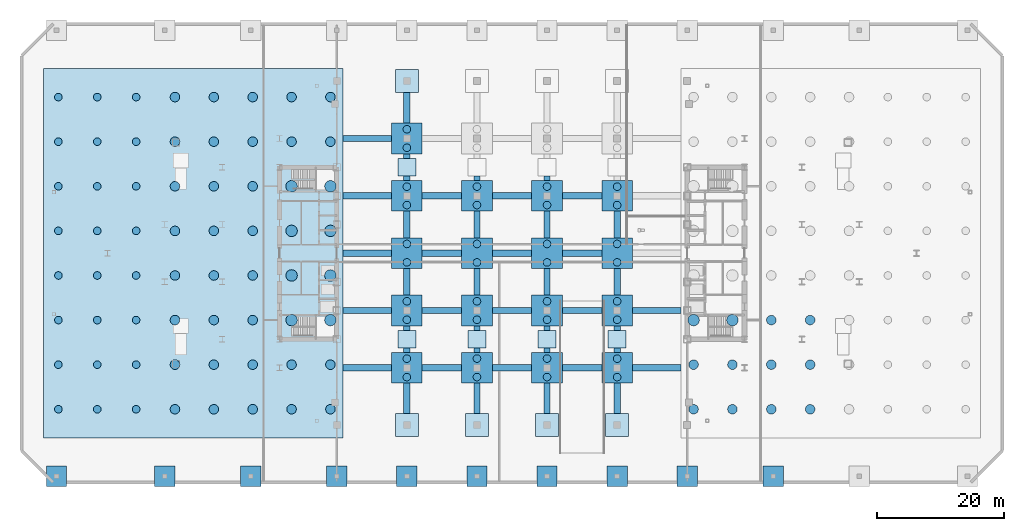
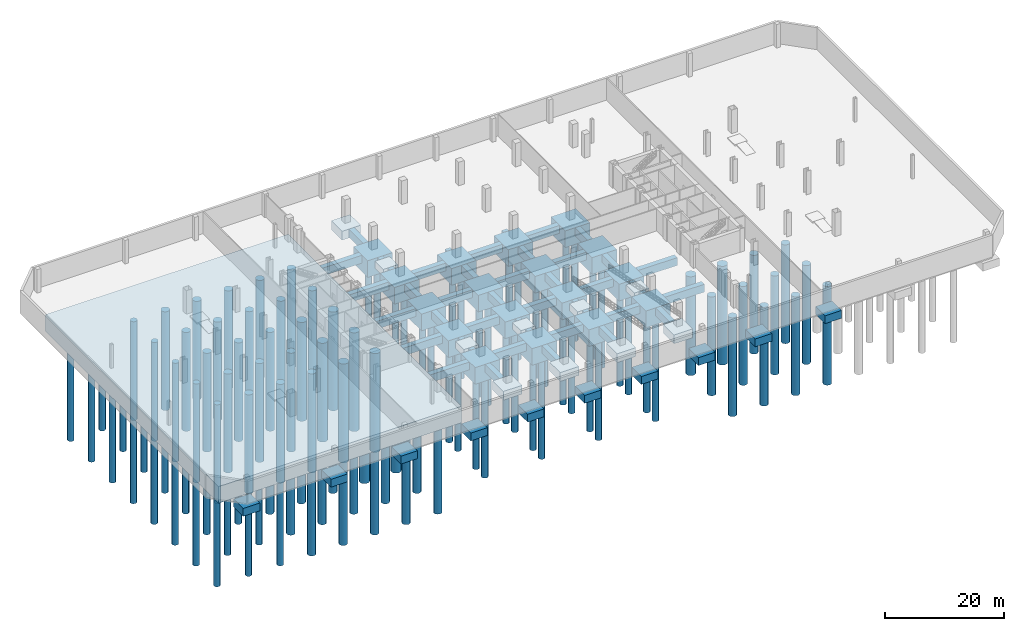
# One storey, part 1 of 18: 110 piles, 82 footings.
"""IFC4 building model written with IfcOpenShell, lengths in metres."""

from ifc_helpers import new_model, si_unit, direction, frame, origin, origin_2d, place, context, subcontext, project, spatial, rectangle, circle, extrude, source, transform, mapped, material, layer, layer_set, material_profile, profile_set, type_object, type_shapes, element, save


model = new_model("IFC4")

# Units and contexts
model_context = context("Model", 3, precision=1e-05, world=origin(), true_north=direction((0.0, 1.0)))
body_context = subcontext(model_context, "Body", "Model", "MODEL_VIEW")
ifc_project = project(units=[si_unit("LENGTHUNIT", "METRE"), si_unit("AREAUNIT", "SQUARE_METRE"), si_unit("VOLUMEUNIT", "CUBIC_METRE"), si_unit("PLANEANGLEUNIT", "RADIAN"), si_unit("MASSUNIT", "GRAM", prefix="KILO")], contexts=[model_context])

# Site, building, storey
site_placement = place(None, origin())
site = spatial("IfcSite", under=ifc_project, at=site_placement, CompositionType="ELEMENT")
building_placement = place(site_placement, origin())
building = spatial("IfcBuilding", under=site, at=building_placement, Name="Seokmaru Belvedere", CompositionType="ELEMENT")
storey_placement = place(building_placement, frame((0.0, 0.0, -9.60009765625)))
storey = spatial("IfcBuildingStorey", under=building, at=storey_placement, Name="B2", CompositionType="ELEMENT", Elevation=-9.60009765625)

# Footing
ifc_material_1 = material(Name="Concrete C50 (50 MPa)", Category="concrete")
ifc_layer_1 = layer(ifc_material_1, 3.39990234375)
ifc_layer_set_1 = layer_set([ifc_layer_1], Name="Concrete C50 (50 MPa)")
footing_type_1 = type_object("IfcFootingType", Name="Piled-Raft Mat Foundation 3400", PredefinedType="PILE_CAP", material=ifc_layer_set_1)
shared_shape_1 = source(origin(), body_context, "Body", "SweptSolid", [
    extrude(rectangle(XDim=47.0, YDim=58.0, at=origin_2d()), origin(), (0.0, 0.0, 1.0), 3.39990234375),
])
type_shapes(footing_type_1, [shared_shape_1])
footing_placement = place(storey_placement, frame((-50.0, 0.0, -3.7998046875), z_axis=(0.0, 0.0, 1.0), x_axis=(1.0, 0.0, 0.0)))
element("IfcFooting", 1, at=footing_placement, inside=storey, type_object=footing_type_1, Name="West Tower Piled-Raft Mat Foundation", PredefinedType="PILE_CAP", context=body_context, shape_type="MappedRepresentation", body=[
    mapped(shared_shape_1, transform((0.0, 0.0, 0.0), scale=1.0)),
])

# Piles
ifc_material_profile_1 = material_profile(ifc_material_1, circle(Radius=0.75, at=origin_2d()), Name="PILE-D1500")
ifc_profile_set_1 = profile_set([ifc_material_profile_1], Name="Concrete C50 (50 MPa)")
pile_type_1 = type_object("IfcPileType", Name="Rock-Socketed Bored Pile D1500", PredefinedType="BORED", material=ifc_profile_set_1)
shared_shape_2 = source(origin(), body_context, "Body", "SweptSolid", [
    extrude(circle(Radius=0.75, at=origin_2d()), origin(), (0.0, 0.0, 1.0), 20.199951171875),
])
type_shapes(pile_type_1, [shared_shape_2])
for number, where, z_axis, x_axis, name in (
    (2, (-28.5, -24.5, -3.7998046875), (0.0, 0.0, -1.0), (1.0, 0.0, 0.0), "West Mat Bored Pile 001"),
    (3, (-28.5, -17.5, -3.7998046875), (0.0, 0.0, -1.0), (1.0, 0.0, 0.0), "West Mat Bored Pile 002"),
    (4, (-28.5, 17.5, -3.7998046875), (0.0, 0.0, -1.0), (1.0, 0.0, 0.0), "West Mat Bored Pile 007"),
    (5, (-28.5, 24.5, -3.7998046875), (0.0, 0.0, -1.0), (1.0, 0.0, 0.0), "West Mat Bored Pile 008"),
    (6, (-34.60009765625, -24.5, -3.7998046875), (0.0, 0.0, -1.0), (1.0, 0.0, 0.0), "West Mat Bored Pile 009"),
    (7, (-34.60009765625, -17.5, -3.7998046875), (0.0, 0.0, -1.0), (1.0, 0.0, 0.0), "West Mat Bored Pile 010"),
    (8, (-34.60009765625, 17.5, -3.7998046875), (0.0, 0.0, -1.0), (1.0, 0.0, 0.0), "West Mat Bored Pile 015"),
    (9, (-34.60009765625, 24.5, -3.7998046875), (0.0, 0.0, -1.0), (1.0, 0.0, 0.0), "West Mat Bored Pile 016"),
    (10, (-40.699951171875, -24.5, -3.7998046875), (0.0, 0.0, -1.0), (1.0, 0.0, 0.0), "West Mat Bored Pile 017"),
    (11, (-40.699951171875, -17.5, -3.7998046875), (0.0, 0.0, -1.0), (1.0, 0.0, 0.0), "West Mat Bored Pile 018"),
    (12, (-40.699951171875, -10.5, -3.7998046875), (0.0, 0.0, -1.0), (1.0, 0.0, 0.0), "West Mat Bored Pile 019"),
    (13, (-40.699951171875, -3.5, -3.7998046875), (0.0, 0.0, -1.0), (1.0, 0.0, 0.0), "West Mat Bored Pile 020"),
    (14, (-40.699951171875, 3.5, -3.7998046875), (0.0, 0.0, -1.0), (1.0, 0.0, 0.0), "West Mat Bored Pile 021"),
    (15, (-40.699951171875, 10.5, -3.7998046875), (0.0, 0.0, -1.0), (1.0, 0.0, 0.0), "West Mat Bored Pile 022"),
    (16, (-40.699951171875, 17.5, -3.7998046875), (0.0, 0.0, -1.0), (1.0, 0.0, 0.0), "West Mat Bored Pile 023"),
    (17, (-40.699951171875, 24.5, -3.7998046875), (0.0, 0.0, -1.0), (1.0, 0.0, 0.0), "West Mat Bored Pile 024"),
    (18, (-46.800048828125, -24.5, -3.7998046875), (0.0, 0.0, -1.0), (1.0, 0.0, 0.0), "West Mat Bored Pile 025"),
    (19, (-46.800048828125, -17.5, -3.7998046875), (0.0, 0.0, -1.0), (1.0, 0.0, 0.0), "West Mat Bored Pile 026"),
    (20, (-46.800048828125, -10.5, -3.7998046875), (0.0, 0.0, -1.0), (1.0, 0.0, 0.0), "West Mat Bored Pile 027"),
    (21, (-46.800048828125, -3.5, -3.7998046875), (0.0, 0.0, -1.0), (1.0, 0.0, 0.0), "West Mat Bored Pile 028"),
    (22, (-46.800048828125, 3.5, -3.7998046875), (0.0, 0.0, -1.0), (1.0, 0.0, 0.0), "West Mat Bored Pile 029"),
    (23, (-46.800048828125, 10.5, -3.7998046875), (0.0, 0.0, -1.0), (1.0, 0.0, 0.0), "West Mat Bored Pile 030"),
    (24, (-46.800048828125, 17.5, -3.7998046875), (0.0, 0.0, -1.0), (1.0, 0.0, 0.0), "West Mat Bored Pile 031"),
    (25, (-46.800048828125, 24.5, -3.7998046875), (0.0, 0.0, -1.0), (1.0, 0.0, 0.0), "West Mat Bored Pile 032"),
    (26, (-52.89990234375, -24.5, -3.7998046875), (0.0, 0.0, -1.0), (1.0, 0.0, 0.0), "West Mat Bored Pile 033"),
    (27, (-52.89990234375, -17.5, -3.7998046875), (0.0, 0.0, -1.0), (1.0, 0.0, 0.0), "West Mat Bored Pile 034"),
    (28, (-52.89990234375, -10.5, -3.7998046875), (0.0, 0.0, -1.0), (1.0, 0.0, 0.0), "West Mat Bored Pile 035"),
    (29, (-52.89990234375, -3.5, -3.7998046875), (0.0, 0.0, -1.0), (1.0, 0.0, 0.0), "West Mat Bored Pile 036"),
    (30, (-52.89990234375, 3.5, -3.7998046875), (0.0, 0.0, -1.0), (1.0, 0.0, 0.0), "West Mat Bored Pile 037"),
    (31, (-52.89990234375, 10.5, -3.7998046875), (0.0, 0.0, -1.0), (1.0, 0.0, 0.0), "West Mat Bored Pile 038"),
    (32, (-52.89990234375, 17.5, -3.7998046875), (0.0, 0.0, -1.0), (1.0, 0.0, 0.0), "West Mat Bored Pile 039"),
    (33, (-52.89990234375, 24.5, -3.7998046875), (0.0, 0.0, -1.0), (1.0, 0.0, 0.0), "West Mat Bored Pile 040"),
    (34, (28.5, -24.5, -3.7998046875), (0.0, 0.0, -1.0), (1.0, 0.0, 0.0), "East Mat Bored Pile 001"),
    (35, (28.5, -17.5, -3.7998046875), (0.0, 0.0, -1.0), (1.0, 0.0, 0.0), "East Mat Bored Pile 002"),
    (36, (34.60009765625, -24.5, -3.7998046875), (0.0, 0.0, -1.0), (1.0, 0.0, 0.0), "East Mat Bored Pile 009"),
    (37, (34.60009765625, -17.5, -3.7998046875), (0.0, 0.0, -1.0), (1.0, 0.0, 0.0), "East Mat Bored Pile 010"),
    (38, (40.699951171875, -24.5, -3.7998046875), (0.0, 0.0, -1.0), (1.0, 0.0, 0.0), "East Mat Bored Pile 017"),
    (39, (40.699951171875, -17.5, -3.7998046875), (0.0, 0.0, -1.0), (1.0, 0.0, 0.0), "East Mat Bored Pile 018"),
    (40, (40.699951171875, -10.5, -3.7998046875), (0.0, 0.0, -1.0), (1.0, 0.0, 0.0), "East Mat Bored Pile 019"),
    (41, (46.800048828125, -24.5, -3.7998046875), (0.0, 0.0, -1.0), (1.0, 0.0, 0.0), "East Mat Bored Pile 025"),
    (42, (46.800048828125, -17.5, -3.7998046875), (0.0, 0.0, -1.0), (1.0, 0.0, 0.0), "East Mat Bored Pile 026"),
    (43, (46.800048828125, -10.5, -3.7998046875), (0.0, 0.0, -1.0), (1.0, 0.0, 0.0), "East Mat Bored Pile 027"),
):
    element("IfcPile", number, at=place(storey_placement, frame(where, z_axis=z_axis, x_axis=x_axis)), inside=storey, type_object=pile_type_1, Name=name, PredefinedType="BORED", context=body_context, shape_type="MappedRepresentation", body=[
        mapped(shared_shape_2, transform((0.0, 0.0, 0.0), scale=1.0)),
    ])
ifc_material_profile_2 = material_profile(ifc_material_1, circle(Radius=0.89990234375, at=origin_2d()), Name="PILE-D1800")
ifc_profile_set_2 = profile_set([ifc_material_profile_2], Name="Concrete C50 (50 MPa)")
pile_type_2 = type_object("IfcPileType", Name="Rock-Socketed Bored Pile D1800", PredefinedType="BORED", material=ifc_profile_set_2)
shared_shape_3 = source(origin(), body_context, "Body", "SweptSolid", [
    extrude(circle(Radius=0.89990234375, at=origin_2d()), origin(), (0.0, 0.0, 1.0), 20.199951171875),
])
type_shapes(pile_type_2, [shared_shape_3])
for number, where, z_axis, x_axis, name in (
    (44, (-28.5, -10.5, -3.7998046875), (0.0, 0.0, -1.0), (1.0, 0.0, 0.0), "West Mat Bored Pile 003"),
    (45, (-28.5, -3.5, -3.7998046875), (0.0, 0.0, -1.0), (1.0, 0.0, 0.0), "West Mat Bored Pile 004"),
    (46, (-28.5, 3.5, -3.7998046875), (0.0, 0.0, -1.0), (1.0, 0.0, 0.0), "West Mat Bored Pile 005"),
    (47, (-28.5, 10.5, -3.7998046875), (0.0, 0.0, -1.0), (1.0, 0.0, 0.0), "West Mat Bored Pile 006"),
    (48, (-34.60009765625, -10.5, -3.7998046875), (0.0, 0.0, -1.0), (1.0, 0.0, 0.0), "West Mat Bored Pile 011"),
    (49, (-34.60009765625, -3.5, -3.7998046875), (0.0, 0.0, -1.0), (1.0, 0.0, 0.0), "West Mat Bored Pile 012"),
    (50, (-34.60009765625, 3.5, -3.7998046875), (0.0, 0.0, -1.0), (1.0, 0.0, 0.0), "West Mat Bored Pile 013"),
    (51, (-34.60009765625, 10.5, -3.7998046875), (0.0, 0.0, -1.0), (1.0, 0.0, 0.0), "West Mat Bored Pile 014"),
    (52, (28.5, -10.5, -3.7998046875), (0.0, 0.0, -1.0), (1.0, 0.0, 0.0), "East Mat Bored Pile 003"),
    (53, (34.60009765625, -10.5, -3.7998046875), (0.0, 0.0, -1.0), (1.0, 0.0, 0.0), "East Mat Bored Pile 011"),
):
    element("IfcPile", number, at=place(storey_placement, frame(where, z_axis=z_axis, x_axis=x_axis)), inside=storey, type_object=pile_type_2, Name=name, PredefinedType="BORED", context=body_context, shape_type="MappedRepresentation", body=[
        mapped(shared_shape_3, transform((0.0, 0.0, 0.0), scale=1.0)),
    ])
ifc_material_profile_3 = material_profile(ifc_material_1, circle(Radius=0.60009765625, at=origin_2d()), Name="PILE-D1200")
ifc_profile_set_3 = profile_set([ifc_material_profile_3], Name="Concrete C50 (50 MPa)")
pile_type_3 = type_object("IfcPileType", Name="Rock-Socketed Bored Pile D1200", PredefinedType="BORED", material=ifc_profile_set_3)
shared_shape_4 = source(origin(), body_context, "Body", "SweptSolid", [
    extrude(circle(Radius=0.60009765625, at=origin_2d()), origin(), (0.0, 0.0, 1.0), 20.199951171875),
])
type_shapes(pile_type_3, [shared_shape_4])
for number, where, z_axis, x_axis, name in (
    (54, (-59.0, -24.5, -3.7998046875), (0.0, 0.0, -1.0), (1.0, 0.0, 0.0), "West Mat Bored Pile 041"),
    (55, (-59.0, -17.5, -3.7998046875), (0.0, 0.0, -1.0), (1.0, 0.0, 0.0), "West Mat Bored Pile 042"),
    (56, (-59.0, -10.5, -3.7998046875), (0.0, 0.0, -1.0), (1.0, 0.0, 0.0), "West Mat Bored Pile 043"),
    (57, (-59.0, -3.5, -3.7998046875), (0.0, 0.0, -1.0), (1.0, 0.0, 0.0), "West Mat Bored Pile 044"),
    (58, (-59.0, 3.5, -3.7998046875), (0.0, 0.0, -1.0), (1.0, 0.0, 0.0), "West Mat Bored Pile 045"),
    (59, (-59.0, 10.5, -3.7998046875), (0.0, 0.0, -1.0), (1.0, 0.0, 0.0), "West Mat Bored Pile 046"),
    (60, (-59.0, 17.5, -3.7998046875), (0.0, 0.0, -1.0), (1.0, 0.0, 0.0), "West Mat Bored Pile 047"),
    (61, (-59.0, 24.5, -3.7998046875), (0.0, 0.0, -1.0), (1.0, 0.0, 0.0), "West Mat Bored Pile 048"),
    (62, (-65.10009765625, -24.5, -3.7998046875), (0.0, 0.0, -1.0), (1.0, 0.0, 0.0), "West Mat Bored Pile 049"),
    (63, (-65.10009765625, -17.5, -3.7998046875), (0.0, 0.0, -1.0), (1.0, 0.0, 0.0), "West Mat Bored Pile 050"),
    (64, (-65.10009765625, -10.5, -3.7998046875), (0.0, 0.0, -1.0), (1.0, 0.0, 0.0), "West Mat Bored Pile 051"),
    (65, (-65.10009765625, -3.5, -3.7998046875), (0.0, 0.0, -1.0), (1.0, 0.0, 0.0), "West Mat Bored Pile 052"),
    (66, (-65.10009765625, 3.5, -3.7998046875), (0.0, 0.0, -1.0), (1.0, 0.0, 0.0), "West Mat Bored Pile 053"),
    (67, (-65.10009765625, 10.5, -3.7998046875), (0.0, 0.0, -1.0), (1.0, 0.0, 0.0), "West Mat Bored Pile 054"),
    (68, (-65.10009765625, 17.5, -3.7998046875), (0.0, 0.0, -1.0), (1.0, 0.0, 0.0), "West Mat Bored Pile 055"),
    (69, (-65.10009765625, 24.5, -3.7998046875), (0.0, 0.0, -1.0), (1.0, 0.0, 0.0), "West Mat Bored Pile 056"),
    (70, (-71.199951171875, -24.5, -3.7998046875), (0.0, 0.0, -1.0), (1.0, 0.0, 0.0), "West Mat Bored Pile 057"),
    (71, (-71.199951171875, -17.5, -3.7998046875), (0.0, 0.0, -1.0), (1.0, 0.0, 0.0), "West Mat Bored Pile 058"),
    (72, (-71.199951171875, -10.5, -3.7998046875), (0.0, 0.0, -1.0), (1.0, 0.0, 0.0), "West Mat Bored Pile 059"),
    (73, (-71.199951171875, -3.5, -3.7998046875), (0.0, 0.0, -1.0), (1.0, 0.0, 0.0), "West Mat Bored Pile 060"),
    (74, (-71.199951171875, 3.5, -3.7998046875), (0.0, 0.0, -1.0), (1.0, 0.0, 0.0), "West Mat Bored Pile 061"),
    (75, (-71.199951171875, 10.5, -3.7998046875), (0.0, 0.0, -1.0), (1.0, 0.0, 0.0), "West Mat Bored Pile 062"),
    (76, (-71.199951171875, 17.5, -3.7998046875), (0.0, 0.0, -1.0), (1.0, 0.0, 0.0), "West Mat Bored Pile 063"),
    (77, (-71.199951171875, 24.5, -3.7998046875), (0.0, 0.0, -1.0), (1.0, 0.0, 0.0), "West Mat Bored Pile 064"),
    (78, (-16.5, -19.449951171875, -3.7998046875), (0.0, 0.0, -1.0), (1.0, 0.0, 0.0), "Central Cap Bored Pile 1-1-1"),
    (79, (-16.5, -16.550048828125, -3.7998046875), (0.0, 0.0, -1.0), (1.0, 0.0, 0.0), "Central Cap Bored Pile 1-1-2"),
    (80, (-16.5, -10.449951171875, -3.7998046875), (0.0, 0.0, -1.0), (1.0, 0.0, 0.0), "Central Cap Bored Pile 1-2-1"),
    (81, (-16.5, -7.550048828125, -3.7998046875), (0.0, 0.0, -1.0), (1.0, 0.0, 0.0), "Central Cap Bored Pile 1-2-2"),
    (82, (-16.5, -1.449951171875, -3.7998046875), (0.0, 0.0, -1.0), (1.0, 0.0, 0.0), "Central Cap Bored Pile 1-3-1"),
    (83, (-16.5, 1.449951171875, -3.7998046875), (0.0, 0.0, -1.0), (1.0, 0.0, 0.0), "Central Cap Bored Pile 1-3-2"),
    (84, (-16.5, 7.550048828125, -3.7998046875), (0.0, 0.0, -1.0), (1.0, 0.0, 0.0), "Central Cap Bored Pile 1-4-1"),
    (85, (-16.5, 10.449951171875, -3.7998046875), (0.0, 0.0, -1.0), (1.0, 0.0, 0.0), "Central Cap Bored Pile 1-4-2"),
    (86, (-16.5, 16.550048828125, -3.7998046875), (0.0, 0.0, -1.0), (1.0, 0.0, 0.0), "Central Cap Bored Pile 1-5-1"),
    (87, (-16.5, 19.449951171875, -3.7998046875), (0.0, 0.0, -1.0), (1.0, 0.0, 0.0), "Central Cap Bored Pile 1-5-2"),
    (88, (-5.5, -19.449951171875, -3.7998046875), (0.0, 0.0, -1.0), (1.0, 0.0, 0.0), "Central Cap Bored Pile 2-1-1"),
    (89, (-5.5, -16.550048828125, -3.7998046875), (0.0, 0.0, -1.0), (1.0, 0.0, 0.0), "Central Cap Bored Pile 2-1-2"),
    (90, (-5.5, -10.449951171875, -3.7998046875), (0.0, 0.0, -1.0), (1.0, 0.0, 0.0), "Central Cap Bored Pile 2-2-1"),
    (91, (-5.5, -7.550048828125, -3.7998046875), (0.0, 0.0, -1.0), (1.0, 0.0, 0.0), "Central Cap Bored Pile 2-2-2"),
    (92, (-5.5, -1.449951171875, -3.7998046875), (0.0, 0.0, -1.0), (1.0, 0.0, 0.0), "Central Cap Bored Pile 2-3-1"),
    (93, (-5.5, 1.449951171875, -3.7998046875), (0.0, 0.0, -1.0), (1.0, 0.0, 0.0), "Central Cap Bored Pile 2-3-2"),
    (94, (-5.5, 7.550048828125, -3.7998046875), (0.0, 0.0, -1.0), (1.0, 0.0, 0.0), "Central Cap Bored Pile 2-4-1"),
    (95, (-5.5, 10.449951171875, -3.7998046875), (0.0, 0.0, -1.0), (1.0, 0.0, 0.0), "Central Cap Bored Pile 2-4-2"),
    (96, (5.5, -19.449951171875, -3.7998046875), (0.0, 0.0, -1.0), (1.0, 0.0, 0.0), "Central Cap Bored Pile 3-1-1"),
    (97, (5.5, -16.550048828125, -3.7998046875), (0.0, 0.0, -1.0), (1.0, 0.0, 0.0), "Central Cap Bored Pile 3-1-2"),
    (98, (5.5, -10.449951171875, -3.7998046875), (0.0, 0.0, -1.0), (1.0, 0.0, 0.0), "Central Cap Bored Pile 3-2-1"),
    (99, (5.5, -7.550048828125, -3.7998046875), (0.0, 0.0, -1.0), (1.0, 0.0, 0.0), "Central Cap Bored Pile 3-2-2"),
    (100, (5.5, -1.449951171875, -3.7998046875), (0.0, 0.0, -1.0), (1.0, 0.0, 0.0), "Central Cap Bored Pile 3-3-1"),
    (101, (5.5, 1.449951171875, -3.7998046875), (0.0, 0.0, -1.0), (1.0, 0.0, 0.0), "Central Cap Bored Pile 3-3-2"),
    (102, (5.5, 7.550048828125, -3.7998046875), (0.0, 0.0, -1.0), (1.0, 0.0, 0.0), "Central Cap Bored Pile 3-4-1"),
    (103, (5.5, 10.449951171875, -3.7998046875), (0.0, 0.0, -1.0), (1.0, 0.0, 0.0), "Central Cap Bored Pile 3-4-2"),
    (104, (16.5, -19.449951171875, -3.7998046875), (0.0, 0.0, -1.0), (1.0, 0.0, 0.0), "Central Cap Bored Pile 4-1-1"),
    (105, (16.5, -16.550048828125, -3.7998046875), (0.0, 0.0, -1.0), (1.0, 0.0, 0.0), "Central Cap Bored Pile 4-1-2"),
    (106, (16.5, -10.449951171875, -3.7998046875), (0.0, 0.0, -1.0), (1.0, 0.0, 0.0), "Central Cap Bored Pile 4-2-1"),
    (107, (16.5, -7.550048828125, -3.7998046875), (0.0, 0.0, -1.0), (1.0, 0.0, 0.0), "Central Cap Bored Pile 4-2-2"),
    (108, (16.5, -1.449951171875, -3.7998046875), (0.0, 0.0, -1.0), (1.0, 0.0, 0.0), "Central Cap Bored Pile 4-3-1"),
    (109, (16.5, 1.449951171875, -3.7998046875), (0.0, 0.0, -1.0), (1.0, 0.0, 0.0), "Central Cap Bored Pile 4-3-2"),
    (110, (16.5, 7.550048828125, -3.7998046875), (0.0, 0.0, -1.0), (1.0, 0.0, 0.0), "Central Cap Bored Pile 4-4-1"),
    (111, (16.5, 10.449951171875, -3.7998046875), (0.0, 0.0, -1.0), (1.0, 0.0, 0.0), "Central Cap Bored Pile 4-4-2"),
):
    element("IfcPile", number, at=place(storey_placement, frame(where, z_axis=z_axis, x_axis=x_axis)), inside=storey, type_object=pile_type_3, Name=name, PredefinedType="BORED", context=body_context, shape_type="MappedRepresentation", body=[
        mapped(shared_shape_4, transform((0.0, 0.0, 0.0), scale=1.0)),
    ])

# Footings
ifc_layer_2 = layer(ifc_material_1, 3.39990234375)
ifc_layer_set_2 = layer_set([ifc_layer_2], Name="Concrete C50 (50 MPa)")
footing_type_2 = type_object("IfcFootingType", Name="Central Podium Pile Cap 4800x4800", PredefinedType="PILE_CAP", material=ifc_layer_set_2)
shared_shape_5 = source(origin(), body_context, "Body", "SweptSolid", [
    extrude(rectangle(XDim=4.800048828125, YDim=4.800048828125, at=origin_2d()), origin(), (0.0, 0.0, 1.0), 3.39990234375),
])
type_shapes(footing_type_2, [shared_shape_5])
for number, where, z_axis, x_axis, name in (
    (112, (-16.5, -18.0, -3.7998046875), (0.0, 0.0, 1.0), (1.0, 0.0, 0.0), "Central Podium Pile Cap 1-1"),
    (113, (-16.5, -9.0, -3.7998046875), (0.0, 0.0, 1.0), (1.0, 0.0, 0.0), "Central Podium Pile Cap 1-2"),
    (114, (-16.5, 0.0, -3.7998046875), (0.0, 0.0, 1.0), (1.0, 0.0, 0.0), "Central Podium Pile Cap 1-3"),
    (115, (-16.5, 9.0, -3.7998046875), (0.0, 0.0, 1.0), (1.0, 0.0, 0.0), "Central Podium Pile Cap 1-4"),
    (116, (-16.5, 18.0, -3.7998046875), (0.0, 0.0, 1.0), (1.0, 0.0, 0.0), "Central Podium Pile Cap 1-5"),
    (117, (-5.5, -18.0, -3.7998046875), (0.0, 0.0, 1.0), (1.0, 0.0, 0.0), "Central Podium Pile Cap 2-1"),
    (118, (-5.5, -9.0, -3.7998046875), (0.0, 0.0, 1.0), (1.0, 0.0, 0.0), "Central Podium Pile Cap 2-2"),
    (119, (-5.5, 0.0, -3.7998046875), (0.0, 0.0, 1.0), (1.0, 0.0, 0.0), "Central Podium Pile Cap 2-3"),
    (120, (-5.5, 9.0, -3.7998046875), (0.0, 0.0, 1.0), (1.0, 0.0, 0.0), "Central Podium Pile Cap 2-4"),
    (121, (5.5, -18.0, -3.7998046875), (0.0, 0.0, 1.0), (1.0, 0.0, 0.0), "Central Podium Pile Cap 3-1"),
    (122, (5.5, -9.0, -3.7998046875), (0.0, 0.0, 1.0), (1.0, 0.0, 0.0), "Central Podium Pile Cap 3-2"),
    (123, (5.5, 0.0, -3.7998046875), (0.0, 0.0, 1.0), (1.0, 0.0, 0.0), "Central Podium Pile Cap 3-3"),
    (124, (5.5, 9.0, -3.7998046875), (0.0, 0.0, 1.0), (1.0, 0.0, 0.0), "Central Podium Pile Cap 3-4"),
    (125, (16.5, -18.0, -3.7998046875), (0.0, 0.0, 1.0), (1.0, 0.0, 0.0), "Central Podium Pile Cap 4-1"),
    (126, (16.5, -9.0, -3.7998046875), (0.0, 0.0, 1.0), (1.0, 0.0, 0.0), "Central Podium Pile Cap 4-2"),
    (127, (16.5, 0.0, -3.7998046875), (0.0, 0.0, 1.0), (1.0, 0.0, 0.0), "Central Podium Pile Cap 4-3"),
    (128, (16.5, 9.0, -3.7998046875), (0.0, 0.0, 1.0), (1.0, 0.0, 0.0), "Central Podium Pile Cap 4-4"),
):
    element("IfcFooting", number, at=place(storey_placement, frame(where, z_axis=z_axis, x_axis=x_axis)), inside=storey, type_object=footing_type_2, Name=name, PredefinedType="PILE_CAP", context=body_context, shape_type="MappedRepresentation", body=[
        mapped(shared_shape_5, transform((0.0, 0.0, 0.0), scale=1.0)),
    ])
ifc_material_2 = material(Name="Concrete C40 (40 MPa)", Category="concrete")
ifc_layer_3 = layer(ifc_material_2, 1.800048828125)
ifc_layer_set_3 = layer_set([ifc_layer_3], Name="Concrete C40 (40 MPa)")
footing_type_3 = type_object("IfcFootingType", Name="Perimeter Pad Footing 3600x3600", PredefinedType="PAD_FOOTING", material=ifc_layer_set_3)
shared_shape_6 = source(origin(), body_context, "Body", "SweptSolid", [
    extrude(rectangle(XDim=3.60009765625, YDim=3.60009765625, at=origin_2d()), origin(), (0.0, 0.0, 1.0), 1.800048828125),
])
type_shapes(footing_type_3, [shared_shape_6])
for number, where, z_axis, x_axis, name in (
    (129, (-16.5, -27.0, -2.19970703125), (0.0, 0.0, 1.0), (1.0, 0.0, 0.0), "Podium Perimeter Pad Footing 1-S"),
    (130, (-16.5, 27.0, -2.19970703125), (0.0, 0.0, 1.0), (1.0, 0.0, 0.0), "Podium Perimeter Pad Footing 1-N"),
    (131, (-5.5, -27.0, -2.19970703125), (0.0, 0.0, 1.0), (1.0, 0.0, 0.0), "Podium Perimeter Pad Footing 2-S"),
    (132, (5.5, -27.0, -2.19970703125), (0.0, 0.0, 1.0), (1.0, 0.0, 0.0), "Podium Perimeter Pad Footing 3-S"),
    (133, (16.5, -27.0, -2.19970703125), (0.0, 0.0, 1.0), (1.0, 0.0, 0.0), "Podium Perimeter Pad Footing 4-S"),
):
    element("IfcFooting", number, at=place(storey_placement, frame(where, z_axis=z_axis, x_axis=x_axis)), inside=storey, type_object=footing_type_3, Name=name, PredefinedType="PAD_FOOTING", context=body_context, shape_type="MappedRepresentation", body=[
        mapped(shared_shape_6, transform((0.0, 0.0, 0.0), scale=1.0)),
    ])
ifc_layer_4 = layer(ifc_material_2, 1.39990234375)
ifc_layer_set_4 = layer_set([ifc_layer_4], Name="Concrete C40 (40 MPa)")
footing_type_4 = type_object("IfcFootingType", Name="Ramp Pad Footing 2800x2800", PredefinedType="PAD_FOOTING", material=ifc_layer_set_4)
shared_shape_7 = source(origin(), body_context, "Body", "SweptSolid", [
    extrude(rectangle(XDim=2.800048828125, YDim=2.800048828125, at=origin_2d()), origin(), (0.0, 0.0, 1.0), 1.39990234375),
])
type_shapes(footing_type_4, [shared_shape_7])
for number, where, z_axis, x_axis, name in (
    (134, (-16.5, -13.5, -1.7998046875), (0.0, 0.0, 1.0), (1.0, 0.0, 0.0), "Terrace Grid Pad Footing 1-MS"),
    (135, (-16.5, 13.5, -1.7998046875), (0.0, 0.0, 1.0), (1.0, 0.0, 0.0), "Terrace Grid Pad Footing 1-MN"),
    (136, (-5.5, -13.5, -1.7998046875), (0.0, 0.0, 1.0), (1.0, 0.0, 0.0), "Terrace Grid Pad Footing 2-MS"),
    (137, (5.5, -13.5, -1.7998046875), (0.0, 0.0, 1.0), (1.0, 0.0, 0.0), "Terrace Grid Pad Footing 3-MS"),
    (138, (16.5, -13.5, -1.7998046875), (0.0, 0.0, 1.0), (1.0, 0.0, 0.0), "Terrace Grid Pad Footing 4-MS"),
):
    element("IfcFooting", number, at=place(storey_placement, frame(where, z_axis=z_axis, x_axis=x_axis)), inside=storey, type_object=footing_type_4, Name=name, PredefinedType="PAD_FOOTING", context=body_context, shape_type="MappedRepresentation", body=[
        mapped(shared_shape_7, transform((0.0, 0.0, 0.0), scale=1.0)),
    ])
ifc_layer_5 = layer(ifc_material_2, 1.60009765625)
ifc_layer_set_5 = layer_set([ifc_layer_5], Name="Concrete C40 (40 MPa)")
footing_type_5 = type_object("IfcFootingType", Name="Plaza Edge Pad Footing 3200x3200", PredefinedType="PAD_FOOTING", material=ifc_layer_set_5)
shared_shape_8 = source(origin(), body_context, "Body", "SweptSolid", [
    extrude(rectangle(XDim=3.199951171875, YDim=3.199951171875, at=origin_2d()), origin(), (0.0, 0.0, 1.0), 1.60009765625),
])
type_shapes(footing_type_5, [shared_shape_8])
for number, where, z_axis, x_axis, name in (
    (139, (-71.5, -35.0, -2.0), (0.0, 0.0, 1.0), (1.0, 0.0, 0.0), "Plaza Substructure Pad Footing 1-S"),
    (140, (-54.5, -35.0, -2.0), (0.0, 0.0, 1.0), (1.0, 0.0, 0.0), "Plaza Substructure Pad Footing 2-S"),
    (141, (-41.0, -35.0, -2.0), (0.0, 0.0, 1.0), (1.0, 0.0, 0.0), "Plaza Substructure Pad Footing 3-S"),
    (142, (-27.5, -35.0, -2.0), (0.0, 0.0, 1.0), (1.0, 0.0, 0.0), "Plaza Substructure Pad Footing 4-S"),
    (143, (-16.5, -35.0, -2.0), (0.0, 0.0, 1.0), (1.0, 0.0, 0.0), "Plaza Substructure Pad Footing 5-S"),
    (144, (-5.5, -35.0, -2.0), (0.0, 0.0, 1.0), (1.0, 0.0, 0.0), "Plaza Substructure Pad Footing 6-S"),
    (145, (5.5, -35.0, -2.0), (0.0, 0.0, 1.0), (1.0, 0.0, 0.0), "Plaza Substructure Pad Footing 7-S"),
    (146, (16.5, -35.0, -2.0), (0.0, 0.0, 1.0), (1.0, 0.0, 0.0), "Plaza Substructure Pad Footing 8-S"),
    (147, (27.5, -35.0, -2.0), (0.0, 0.0, 1.0), (1.0, 0.0, 0.0), "Plaza Substructure Pad Footing 9-S"),
    (148, (41.0, -35.0, -2.0), (0.0, 0.0, 1.0), (1.0, 0.0, 0.0), "Plaza Substructure Pad Footing 10-S"),
):
    element("IfcFooting", number, at=place(storey_placement, frame(where, z_axis=z_axis, x_axis=x_axis)), inside=storey, type_object=footing_type_5, Name=name, PredefinedType="PAD_FOOTING", context=body_context, shape_type="MappedRepresentation", body=[
        mapped(shared_shape_8, transform((0.0, 0.0, 0.0), scale=1.0)),
    ])
ifc_layer_6 = layer(ifc_material_1, 1.60009765625)
ifc_layer_set_6 = layer_set([ifc_layer_6], Name="Concrete C50 (50 MPa)")
footing_type_6 = type_object("IfcFootingType", Name="Foundation Ground Tie Beam 1000x1600", PredefinedType="FOOTING_BEAM", material=ifc_layer_set_6)
shared_shape_9 = source(origin(), body_context, "Body", "SweptSolid", [
    extrude(rectangle(XDim=7.60009765625, YDim=1.0, at=origin_2d()), origin(), (0.0, 0.0, 1.0), 1.60009765625),
])
for number, where, z_axis, x_axis, name in (
    (149, (-22.699951171875, -18.0, -2.0), (0.0, 0.0, 1.0), (1.0, 0.0, 0.0), "Foundation Ground Tie Beam 001"),
    (150, (22.699951171875, -18.0, -2.0), (0.0, 0.0, 1.0), (1.0, 0.0, 0.0), "Foundation Ground Tie Beam 005"),
    (151, (-22.699951171875, -9.0, -2.0), (0.0, 0.0, 1.0), (1.0, 0.0, 0.0), "Foundation Ground Tie Beam 006"),
    (152, (22.699951171875, -9.0, -2.0), (0.0, 0.0, 1.0), (1.0, 0.0, 0.0), "Foundation Ground Tie Beam 010"),
    (153, (-22.699951171875, 0.0, -2.0), (0.0, 0.0, 1.0), (1.0, 0.0, 0.0), "Foundation Ground Tie Beam 011"),
    (154, (-22.699951171875, 9.0, -2.0), (0.0, 0.0, 1.0), (1.0, 0.0, 0.0), "Foundation Ground Tie Beam 016"),
    (155, (-22.699951171875, 18.0, -2.0), (0.0, 0.0, 1.0), (1.0, 0.0, 0.0), "Foundation Ground Tie Beam 021"),
):
    element("IfcFooting", number, at=place(storey_placement, frame(where, z_axis=z_axis, x_axis=x_axis)), inside=storey, type_object=footing_type_6, Name=name, PredefinedType="FOOTING_BEAM", context=body_context, shape_type="MappedRepresentation", body=[
        mapped(shared_shape_9, transform((0.0, 0.0, 0.0), scale=1.0)),
    ])
shared_shape_10 = source(origin(), body_context, "Body", "SweptSolid", [
    extrude(rectangle(XDim=6.199951171875, YDim=1.0, at=origin_2d()), origin(), (0.0, 0.0, 1.0), 1.60009765625),
])
for number, where, z_axis, x_axis, name in (
    (156, (-11.0, -18.0, -2.0), (0.0, 0.0, 1.0), (1.0, 0.0, 0.0), "Foundation Ground Tie Beam 002"),
    (157, (0.0, -18.0, -2.0), (0.0, 0.0, 1.0), (1.0, 0.0, 0.0), "Foundation Ground Tie Beam 003"),
    (158, (11.0, -18.0, -2.0), (0.0, 0.0, 1.0), (1.0, 0.0, 0.0), "Foundation Ground Tie Beam 004"),
    (159, (-11.0, -9.0, -2.0), (0.0, 0.0, 1.0), (1.0, 0.0, 0.0), "Foundation Ground Tie Beam 007"),
    (160, (0.0, -9.0, -2.0), (0.0, 0.0, 1.0), (1.0, 0.0, 0.0), "Foundation Ground Tie Beam 008"),
    (161, (11.0, -9.0, -2.0), (0.0, 0.0, 1.0), (1.0, 0.0, 0.0), "Foundation Ground Tie Beam 009"),
    (162, (-11.0, 0.0, -2.0), (0.0, 0.0, 1.0), (1.0, 0.0, 0.0), "Foundation Ground Tie Beam 012"),
    (163, (0.0, 0.0, -2.0), (0.0, 0.0, 1.0), (1.0, 0.0, 0.0), "Foundation Ground Tie Beam 013"),
    (164, (11.0, 0.0, -2.0), (0.0, 0.0, 1.0), (1.0, 0.0, 0.0), "Foundation Ground Tie Beam 014"),
    (165, (-11.0, 9.0, -2.0), (0.0, 0.0, 1.0), (1.0, 0.0, 0.0), "Foundation Ground Tie Beam 017"),
    (166, (0.0, 9.0, -2.0), (0.0, 0.0, 1.0), (1.0, 0.0, 0.0), "Foundation Ground Tie Beam 018"),
    (167, (11.0, 9.0, -2.0), (0.0, 0.0, 1.0), (1.0, 0.0, 0.0), "Foundation Ground Tie Beam 019"),
):
    element("IfcFooting", number, at=place(storey_placement, frame(where, z_axis=z_axis, x_axis=x_axis)), inside=storey, type_object=footing_type_6, Name=name, PredefinedType="FOOTING_BEAM", context=body_context, shape_type="MappedRepresentation", body=[
        mapped(shared_shape_10, transform((0.0, 0.0, 0.0), scale=1.0)),
    ])
shared_shape_11 = source(origin(), body_context, "Body", "SweptSolid", [
    extrude(rectangle(XDim=1.0, YDim=4.800048828125, at=origin_2d()), origin(), (0.0, 0.0, 1.0), 1.60009765625),
])
for number, where, z_axis, x_axis, name in (
    (168, (-16.5, -22.800048828125, -2.0), (0.0, 0.0, 1.0), (1.0, 0.0, 0.0), "Foundation Ground Tie Beam 026"),
    (169, (-16.5, 22.800048828125, -2.0), (0.0, 0.0, 1.0), (1.0, 0.0, 0.0), "Foundation Ground Tie Beam 033"),
    (170, (-5.5, -22.800048828125, -2.0), (0.0, 0.0, 1.0), (1.0, 0.0, 0.0), "Foundation Ground Tie Beam 034"),
    (171, (5.5, -22.800048828125, -2.0), (0.0, 0.0, 1.0), (1.0, 0.0, 0.0), "Foundation Ground Tie Beam 042"),
    (172, (16.5, -22.800048828125, -2.0), (0.0, 0.0, 1.0), (1.0, 0.0, 0.0), "Foundation Ground Tie Beam 050"),
):
    element("IfcFooting", number, at=place(storey_placement, frame(where, z_axis=z_axis, x_axis=x_axis)), inside=storey, type_object=footing_type_6, Name=name, PredefinedType="FOOTING_BEAM", context=body_context, shape_type="MappedRepresentation", body=[
        mapped(shared_shape_11, transform((0.0, 0.0, 0.0), scale=1.0)),
    ])
shared_shape_12 = source(origin(), body_context, "Body", "SweptSolid", [
    extrude(rectangle(XDim=1.0, YDim=0.699951171875, at=origin_2d()), origin(), (0.0, 0.0, 1.0), 1.60009765625),
])
for number, where, z_axis, x_axis, name in (
    (173, (-16.5, -15.25, -2.0), (0.0, 0.0, 1.0), (1.0, 0.0, 0.0), "Foundation Ground Tie Beam 027"),
    (174, (-16.5, -11.75, -2.0), (0.0, 0.0, 1.0), (1.0, 0.0, 0.0), "Foundation Ground Tie Beam 028"),
    (175, (-16.5, 11.75, -2.0), (0.0, 0.0, 1.0), (1.0, 0.0, 0.0), "Foundation Ground Tie Beam 031"),
    (176, (-16.5, 15.25, -2.0), (0.0, 0.0, 1.0), (1.0, 0.0, 0.0), "Foundation Ground Tie Beam 032"),
    (177, (-5.5, -15.25, -2.0), (0.0, 0.0, 1.0), (1.0, 0.0, 0.0), "Foundation Ground Tie Beam 035"),
    (178, (-5.5, -11.75, -2.0), (0.0, 0.0, 1.0), (1.0, 0.0, 0.0), "Foundation Ground Tie Beam 036"),
    (179, (-5.5, 11.75, -2.0), (0.0, 0.0, 1.0), (1.0, 0.0, 0.0), "Foundation Ground Tie Beam 039"),
    (180, (5.5, -15.25, -2.0), (0.0, 0.0, 1.0), (1.0, 0.0, 0.0), "Foundation Ground Tie Beam 043"),
    (181, (5.5, -11.75, -2.0), (0.0, 0.0, 1.0), (1.0, 0.0, 0.0), "Foundation Ground Tie Beam 044"),
    (182, (5.5, 11.75, -2.0), (0.0, 0.0, 1.0), (1.0, 0.0, 0.0), "Foundation Ground Tie Beam 047"),
    (183, (16.5, -15.25, -2.0), (0.0, 0.0, 1.0), (1.0, 0.0, 0.0), "Foundation Ground Tie Beam 051"),
    (184, (16.5, -11.75, -2.0), (0.0, 0.0, 1.0), (1.0, 0.0, 0.0), "Foundation Ground Tie Beam 052"),
):
    element("IfcFooting", number, at=place(storey_placement, frame(where, z_axis=z_axis, x_axis=x_axis)), inside=storey, type_object=footing_type_6, Name=name, PredefinedType="FOOTING_BEAM", context=body_context, shape_type="MappedRepresentation", body=[
        mapped(shared_shape_12, transform((0.0, 0.0, 0.0), scale=1.0)),
    ])
shared_shape_13 = source(origin(), body_context, "Body", "SweptSolid", [
    extrude(rectangle(XDim=1.0, YDim=4.199951171875, at=origin_2d()), origin(), (0.0, 0.0, 1.0), 1.60009765625),
])
type_shapes(footing_type_6, [shared_shape_9, shared_shape_10, shared_shape_11, shared_shape_12, shared_shape_13])
for number, where, z_axis, x_axis, name in (
    (185, (-16.5, -4.5, -2.0), (0.0, 0.0, 1.0), (1.0, 0.0, 0.0), "Foundation Ground Tie Beam 029"),
    (186, (-16.5, 4.5, -2.0), (0.0, 0.0, 1.0), (1.0, 0.0, 0.0), "Foundation Ground Tie Beam 030"),
    (187, (-5.5, -4.5, -2.0), (0.0, 0.0, 1.0), (1.0, 0.0, 0.0), "Foundation Ground Tie Beam 037"),
    (188, (-5.5, 4.5, -2.0), (0.0, 0.0, 1.0), (1.0, 0.0, 0.0), "Foundation Ground Tie Beam 038"),
    (189, (5.5, -4.5, -2.0), (0.0, 0.0, 1.0), (1.0, 0.0, 0.0), "Foundation Ground Tie Beam 045"),
    (190, (5.5, 4.5, -2.0), (0.0, 0.0, 1.0), (1.0, 0.0, 0.0), "Foundation Ground Tie Beam 046"),
    (191, (16.5, -4.5, -2.0), (0.0, 0.0, 1.0), (1.0, 0.0, 0.0), "Foundation Ground Tie Beam 053"),
    (192, (16.5, 4.5, -2.0), (0.0, 0.0, 1.0), (1.0, 0.0, 0.0), "Foundation Ground Tie Beam 054"),
):
    element("IfcFooting", number, at=place(storey_placement, frame(where, z_axis=z_axis, x_axis=x_axis)), inside=storey, type_object=footing_type_6, Name=name, PredefinedType="FOOTING_BEAM", context=body_context, shape_type="MappedRepresentation", body=[
        mapped(shared_shape_13, transform((0.0, 0.0, 0.0), scale=1.0)),
    ])

save(model, "model.ifc")
